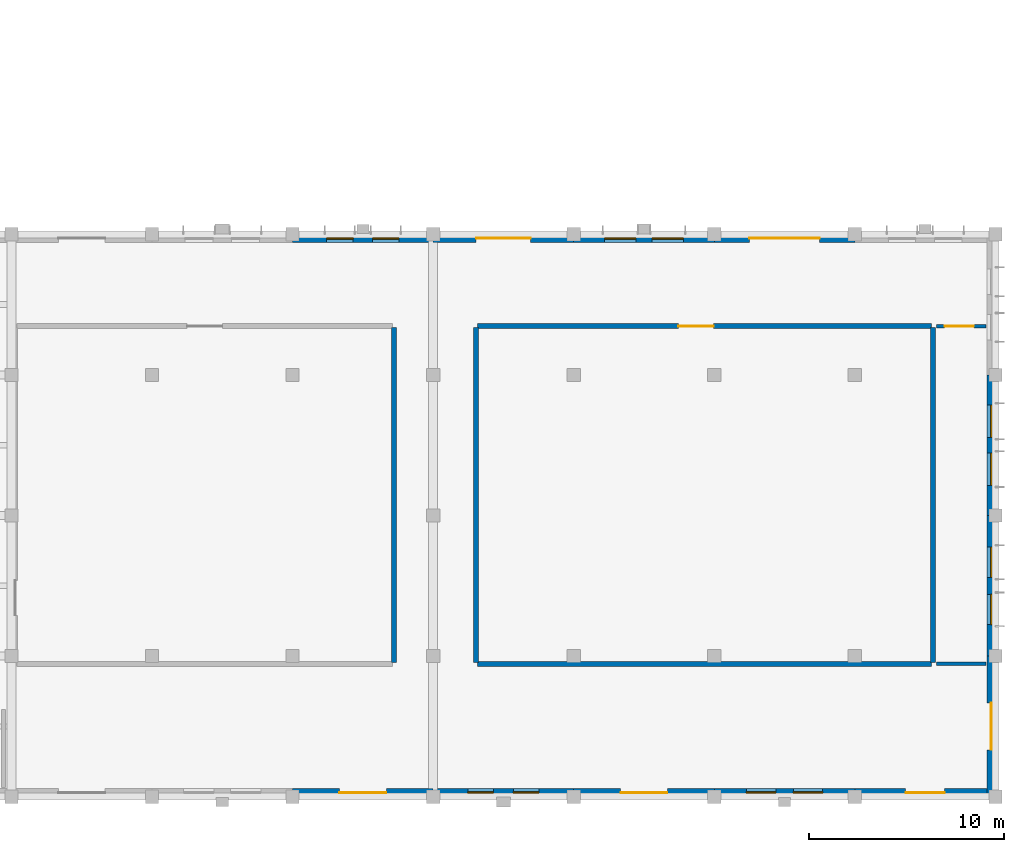
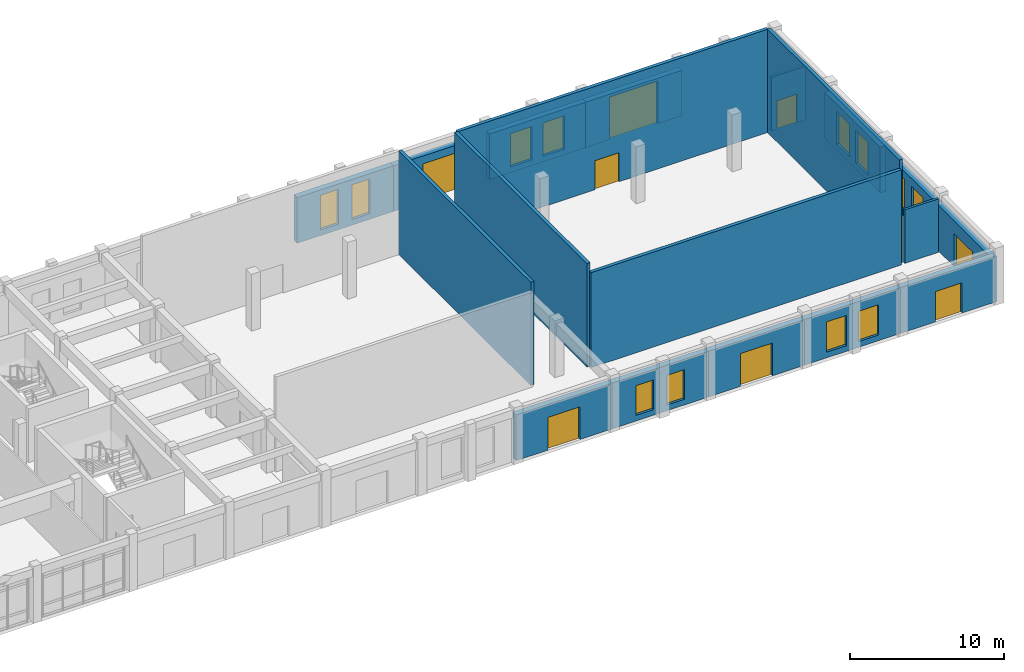
# One storey, part 30 of 43: 19 walls, 12 windows, 8 doors, 20 openings.
"""IFC4 building model written with IfcOpenShell, lengths in metres."""

from ifc_helpers import new_model, si_unit, direction, frame, frame_2d, origin, place, context, subcontext, project, spatial, rectangle, extrude, material, layer, layer_set, type_object, element, fill, save


model = new_model("IFC4")

# Units and contexts
model_context = context("Model", 3, precision=1e-05, world=origin(), true_north=direction((0.0, 1.0)))
body_context = subcontext(model_context, "Body", "Model", "MODEL_VIEW")
ifc_project = project(units=[si_unit("LENGTHUNIT", "METRE"), si_unit("AREAUNIT", "SQUARE_METRE"), si_unit("VOLUMEUNIT", "CUBIC_METRE"), si_unit("PLANEANGLEUNIT", "RADIAN"), si_unit("MASSUNIT", "GRAM", prefix="KILO")], contexts=[model_context])

# Site, building, storey
site_placement = place(None, origin())
site = spatial("IfcSite", under=ifc_project, at=site_placement, CompositionType="ELEMENT")
building_placement = place(site_placement, origin())
building = spatial("IfcBuilding", under=site, at=building_placement, Name="Alvorim Cloister Faculty of Sciences", CompositionType="ELEMENT")
storey_placement = place(building_placement, origin())
storey = spatial("IfcBuildingStorey", under=building, at=storey_placement, Name="L00", CompositionType="ELEMENT", Elevation=0.0)

# Wall, openings, windows
ifc_material_1 = material(Name="Maua Grey Granite Stone", Category="masonry")
ifc_layer_1 = layer(ifc_material_1, 0.419921875)
ifc_layer_set_1 = layer_set([ifc_layer_1], Name="Maua Grey Granite Stone")
wall_type_1 = type_object("IfcWallType", Name="WL-EXT-GRN-420", PredefinedType="SOLIDWALL", material=ifc_layer_set_1)
wall_1_placement = place(storey_placement, frame((129.60009765625, 28.590087890625, 0.0), z_axis=(0.0, 0.0, 1.0), x_axis=(1.0, 0.0, 0.0)))
wall_1 = element("IfcWall", 1, at=wall_1_placement, inside=storey, type_object=wall_type_1, Name="L00 Exterior Wall WL-0079", PredefinedType="SOLIDWALL", context=body_context, shape_type="SweptSolid", body=[
    extrude(rectangle(XDim=7.199951171875, YDim=0.419921875, at=frame_2d((3.60009765625, 0.0))), origin(), (0.0, 0.0, 1.0), 3.6201171875),
])
opening_1_placement = place(wall_1_placement, frame((1.75, 0.0, 0.449951171875)))
opening_1 = element("IfcOpeningElement", 2, at=opening_1_placement, cuts=wall_1, Name="Opening W-09", PredefinedType="OPENING", context=body_context, shape_type="SweptSolid", body=[
    extrude(rectangle(XDim=1.35009765625, YDim=2.75, at=frame_2d((0.675048828125, 1.375))), frame((0.0, 0.221923828125, 0.0), z_axis=(0.0, -1.0, 0.0), x_axis=(1.0, 0.0, 0.0)), (0.0, 0.0, 1.0), 0.44384765625),
])
opening_2_placement = place(wall_1_placement, frame((4.10009765625, 0.0, 0.449951171875)))
opening_2 = element("IfcOpeningElement", 3, at=opening_2_placement, cuts=wall_1, Name="Opening W-09", PredefinedType="OPENING", context=body_context, shape_type="SweptSolid", body=[
    extrude(rectangle(XDim=1.35009765625, YDim=2.75, at=frame_2d((0.675048828125, 1.375))), frame((0.0, 0.221923828125, 0.0), z_axis=(0.0, -1.0, 0.0), x_axis=(1.0, 0.0, 0.0)), (0.0, 0.0, 1.0), 0.44384765625),
])
ifc_material_2 = material(Name="Double Low-E Laminated Glass", Category="glass")
window_type_1 = type_object("IfcWindowType", Name="WN-LAN-1350x2750", PartitioningType="SINGLE_PANEL", PredefinedType="WINDOW", material=ifc_material_2)
window_1_placement = place(opening_1_placement, origin())
window_1 = element("IfcWindow", 4, at=window_1_placement, inside=storey, type_object=window_type_1, Name="L00 Gothic Lancet Window WN-0096", OverallHeight=2.75, OverallWidth=1.35009765625, PartitioningType="SINGLE_PANEL", PredefinedType="WINDOW", context=body_context, shape_type="SweptSolid", body=[
    extrude(rectangle(XDim=1.35009765625, YDim=2.75, at=frame_2d((0.675048828125, 1.375))), frame((0.0, 0.030029296875, 0.0), z_axis=(0.0, -1.0, 0.0), x_axis=(1.0, 0.0, 0.0)), (0.0, 0.0, 1.0), 0.06005859375),
])
fill(opening_1, window_1)
window_2_placement = place(opening_2_placement, origin())
window_2 = element("IfcWindow", 5, at=window_2_placement, inside=storey, type_object=window_type_1, Name="L00 Gothic Lancet Window WN-0097", OverallHeight=2.75, OverallWidth=1.35009765625, PartitioningType="SINGLE_PANEL", PredefinedType="WINDOW", context=body_context, shape_type="SweptSolid", body=[
    extrude(rectangle(XDim=1.35009765625, YDim=2.75, at=frame_2d((0.675048828125, 1.375))), frame((0.0, 0.030029296875, 0.0), z_axis=(0.0, -1.0, 0.0), x_axis=(1.0, 0.0, 0.0)), (0.0, 0.0, 1.0), 0.06005859375),
])
fill(opening_2, window_2)

# Wall, opening, door
wall_2_placement = place(storey_placement, frame((136.800048828125, 28.590087890625, 0.0), z_axis=(0.0, 0.0, 1.0), x_axis=(1.0, 0.0, 0.0)))
wall_2 = element("IfcWall", 6, at=wall_2_placement, inside=storey, type_object=wall_type_1, Name="L00 Exterior Wall WL-0080", PredefinedType="SOLIDWALL", context=body_context, shape_type="SweptSolid", body=[
    extrude(rectangle(XDim=7.199951171875, YDim=0.419921875, at=frame_2d((3.60009765625, 0.0))), origin(), (0.0, 0.0, 1.0), 3.6201171875),
])
opening_3_placement = place(wall_2_placement, frame((2.199951171875, 0.0, 0.0)))
opening_3 = element("IfcOpeningElement", 7, at=opening_3_placement, cuts=wall_2, Name="Opening SG-01", PredefinedType="OPENING", context=body_context, shape_type="SweptSolid", body=[
    extrude(rectangle(XDim=2.800048828125, YDim=3.0, at=frame_2d((1.39990234375, 1.5))), frame((0.0, 0.221923828125, 0.0), z_axis=(0.0, -1.0, 0.0), x_axis=(1.0, 0.0, 0.0)), (0.0, 0.0, 1.0), 0.44384765625),
])
ifc_material_3 = material(Name="Galvanised Steel Sheet", Category="steel")
door_type_1 = type_object("IfcDoorType", Name="DR-GATE-2800x3000", OperationType="NOTDEFINED", PredefinedType="GATE", material=ifc_material_3)
door_1_placement = place(opening_3_placement, origin())
door_1 = element("IfcDoor", 8, at=door_1_placement, inside=storey, type_object=door_type_1, Name="Auditorium Servicing Gate SG-01", OperationType="DOUBLE_DOOR_SINGLE_SWING", OverallHeight=3.0, OverallWidth=2.800048828125, PredefinedType="GATE", context=body_context, shape_type="SweptSolid", body=[
    extrude(rectangle(XDim=2.800048828125, YDim=3.0, at=frame_2d((1.39990234375, 1.5))), frame((0.0, 0.02490234375, 0.0), z_axis=(0.0, -1.0, 0.0), x_axis=(1.0, 0.0, 0.0)), (0.0, 0.0, 1.0), 0.050048828125),
])
fill(opening_3, door_1)

# Wall, openings, windows
wall_3_placement = place(storey_placement, frame((144.0, 28.590087890625, 0.0), z_axis=(0.0, 0.0, 1.0), x_axis=(1.0, 0.0, 0.0)))
wall_3 = element("IfcWall", 9, at=wall_3_placement, inside=storey, type_object=wall_type_1, Name="L00 Exterior Wall WL-0081", PredefinedType="SOLIDWALL", context=body_context, shape_type="SweptSolid", body=[
    extrude(rectangle(XDim=7.199951171875, YDim=0.419921875, at=frame_2d((3.60009765625, 0.0))), origin(), (0.0, 0.0, 1.0), 3.6201171875),
])
opening_4_placement = place(wall_3_placement, frame((1.583251953125, 0.0, 0.449951171875)))
opening_4 = element("IfcOpeningElement", 10, at=opening_4_placement, cuts=wall_3, Name="Opening W-11", PredefinedType="OPENING", context=body_context, shape_type="SweptSolid", body=[
    extrude(rectangle(XDim=1.60009765625, YDim=2.64990234375, at=frame_2d((0.800048828125, 1.324951171875))), frame((0.0, 0.221923828125, 0.0), z_axis=(0.0, -1.0, 0.0), x_axis=(1.0, 0.0, 0.0)), (0.0, 0.0, 1.0), 0.44384765625),
])
opening_5_placement = place(wall_3_placement, frame((4.0166015625, 0.0, 0.449951171875)))
opening_5 = element("IfcOpeningElement", 11, at=opening_5_placement, cuts=wall_3, Name="Opening W-11", PredefinedType="OPENING", context=body_context, shape_type="SweptSolid", body=[
    extrude(rectangle(XDim=1.60009765625, YDim=2.64990234375, at=frame_2d((0.800048828125, 1.324951171875))), frame((0.0, 0.221923828125, 0.0), z_axis=(0.0, -1.0, 0.0), x_axis=(1.0, 0.0, 0.0)), (0.0, 0.0, 1.0), 0.44384765625),
])
window_type_2 = type_object("IfcWindowType", Name="WN-LIB-1600x2650", PartitioningType="SINGLE_PANEL", PredefinedType="WINDOW", material=ifc_material_2)
window_3_placement = place(opening_4_placement, origin())
window_3 = element("IfcWindow", 12, at=window_3_placement, inside=storey, type_object=window_type_2, Name="L00 Gothic Lancet Window WN-0098", OverallHeight=2.64990234375, OverallWidth=1.60009765625, PartitioningType="SINGLE_PANEL", PredefinedType="WINDOW", context=body_context, shape_type="SweptSolid", body=[
    extrude(rectangle(XDim=1.60009765625, YDim=2.64990234375, at=frame_2d((0.800048828125, 1.324951171875))), frame((0.0, 0.030029296875, 0.0), z_axis=(0.0, -1.0, 0.0), x_axis=(1.0, 0.0, 0.0)), (0.0, 0.0, 1.0), 0.06005859375),
])
fill(opening_4, window_3)
window_4_placement = place(opening_5_placement, origin())
window_4 = element("IfcWindow", 13, at=window_4_placement, inside=storey, type_object=window_type_2, Name="L00 Gothic Lancet Window WN-0099", OverallHeight=2.64990234375, OverallWidth=1.60009765625, PartitioningType="SINGLE_PANEL", PredefinedType="WINDOW", context=body_context, shape_type="SweptSolid", body=[
    extrude(rectangle(XDim=1.60009765625, YDim=2.64990234375, at=frame_2d((0.800048828125, 1.324951171875))), frame((0.0, 0.030029296875, 0.0), z_axis=(0.0, -1.0, 0.0), x_axis=(1.0, 0.0, 0.0)), (0.0, 0.0, 1.0), 0.06005859375),
])
fill(opening_5, window_4)

# Wall, opening, door
wall_4_placement = place(storey_placement, frame((151.199951171875, 28.590087890625, 0.0), z_axis=(0.0, 0.0, 1.0), x_axis=(1.0, 0.0, 0.0)))
wall_4 = element("IfcWall", 14, at=wall_4_placement, inside=storey, type_object=wall_type_1, Name="L00 Exterior Wall WL-0082", PredefinedType="SOLIDWALL", context=body_context, shape_type="SweptSolid", body=[
    extrude(rectangle(XDim=7.199951171875, YDim=0.419921875, at=frame_2d((3.60009765625, 0.0))), origin(), (0.0, 0.0, 1.0), 3.6201171875),
])
opening_6_placement = place(wall_4_placement, frame((1.800048828125, 0.0, 0.0)))
opening_6 = element("IfcOpeningElement", 15, at=opening_6_placement, cuts=wall_4, Name="Opening LD-DOCK", PredefinedType="OPENING", context=body_context, shape_type="SweptSolid", body=[
    extrude(rectangle(XDim=3.60009765625, YDim=3.39990234375, at=frame_2d((1.800048828125, 1.699951171875))), frame((0.0, 0.221923828125, 0.0), z_axis=(0.0, -1.0, 0.0), x_axis=(1.0, 0.0, 0.0)), (0.0, 0.0, 1.0), 0.44384765625),
])
door_type_2 = type_object("IfcDoorType", Name="DR-GATE-3600x3600", OperationType="NOTDEFINED", PredefinedType="GATE", material=ifc_material_3)
door_2_placement = place(opening_6_placement, origin())
door_2 = element("IfcDoor", 16, at=door_2_placement, inside=storey, type_object=door_type_2, Name="East Loading Dock Shutter LD-DOCK", OperationType="ROLLINGUP", OverallHeight=3.39990234375, OverallWidth=3.60009765625, PredefinedType="GATE", context=body_context, shape_type="SweptSolid", body=[
    extrude(rectangle(XDim=3.60009765625, YDim=3.39990234375, at=frame_2d((1.800048828125, 1.699951171875))), frame((0.0, 0.02490234375, 0.0), z_axis=(0.0, -1.0, 0.0), x_axis=(1.0, 0.0, 0.0)), (0.0, 0.0, 1.0), 0.050048828125),
])
fill(opening_6, door_2)

# Wall, openings, windows
wall_5_placement = place(storey_placement, frame((165.389892578125, 14.39990234375, 0.0), z_axis=(0.0, 0.0, 1.0), x_axis=(0.0, 1.0, 0.0)))
wall_5 = element("IfcWall", 17, at=wall_5_placement, inside=storey, type_object=wall_type_1, Name="L00 Exterior Wall WL-0085", PredefinedType="SOLIDWALL", context=body_context, shape_type="SweptSolid", body=[
    extrude(rectangle(XDim=7.2001953125, YDim=0.419921875, at=frame_2d((3.60009765625, 0.0))), origin(), (0.0, 0.0, 1.0), 3.6201171875),
])
opening_7_placement = place(wall_5_placement, frame((1.550048828125, 0.0, 0.449951171875)))
opening_7 = element("IfcOpeningElement", 18, at=opening_7_placement, cuts=wall_5, Name="Opening W-15", PredefinedType="OPENING", context=body_context, shape_type="SweptSolid", body=[
    extrude(rectangle(XDim=1.64990234375, YDim=2.60009765625, at=frame_2d((0.824951171875, 1.300048828125))), frame((0.0, 0.221923828125, 0.0), z_axis=(0.0, -1.0, 0.0), x_axis=(1.0, 0.0, 0.0)), (0.0, 0.0, 1.0), 0.44384765625),
])
opening_8_placement = place(wall_5_placement, frame((4.0, 0.0, 0.449951171875)))
opening_8 = element("IfcOpeningElement", 19, at=opening_8_placement, cuts=wall_5, Name="Opening W-15", PredefinedType="OPENING", context=body_context, shape_type="SweptSolid", body=[
    extrude(rectangle(XDim=1.64990234375, YDim=2.60009765625, at=frame_2d((0.824951171875, 1.300048828125))), frame((0.0, 0.221923828125, 0.0), z_axis=(0.0, -1.0, 0.0), x_axis=(1.0, 0.0, 0.0)), (0.0, 0.0, 1.0), 0.44384765625),
])
window_type_3 = type_object("IfcWindowType", Name="WN-LAB-1650x2600", PartitioningType="SINGLE_PANEL", PredefinedType="WINDOW", material=ifc_material_2)
window_5_placement = place(opening_7_placement, origin())
window_5 = element("IfcWindow", 20, at=window_5_placement, inside=storey, type_object=window_type_3, Name="L00 Gothic Lancet Window WN-0104", OverallHeight=2.60009765625, OverallWidth=1.64990234375, PartitioningType="SINGLE_PANEL", PredefinedType="WINDOW", context=body_context, shape_type="SweptSolid", body=[
    extrude(rectangle(XDim=1.64990234375, YDim=2.60009765625, at=frame_2d((0.824951171875, 1.300048828125))), frame((0.0, 0.030029296875, 0.0), z_axis=(0.0, -1.0, 0.0), x_axis=(1.0, 0.0, 0.0)), (0.0, 0.0, 1.0), 0.06005859375),
])
fill(opening_7, window_5)
window_6_placement = place(opening_8_placement, origin())
window_6 = element("IfcWindow", 21, at=window_6_placement, inside=storey, type_object=window_type_3, Name="L00 Gothic Lancet Window WN-0105", OverallHeight=2.60009765625, OverallWidth=1.64990234375, PartitioningType="SINGLE_PANEL", PredefinedType="WINDOW", context=body_context, shape_type="SweptSolid", body=[
    extrude(rectangle(XDim=1.64990234375, YDim=2.60009765625, at=frame_2d((0.824951171875, 1.300048828125))), frame((0.0, 0.030029296875, 0.0), z_axis=(0.0, -1.0, 0.0), x_axis=(1.0, 0.0, 0.0)), (0.0, 0.0, 1.0), 0.06005859375),
])
fill(opening_8, window_6)

wall_6_placement = place(storey_placement, frame((165.389892578125, 7.199951171875, 0.0), z_axis=(0.0, 0.0, 1.0), x_axis=(0.0, 1.0, 0.0)))
wall_6 = element("IfcWall", 22, at=wall_6_placement, inside=storey, type_object=wall_type_1, Name="L00 Exterior Wall WL-0086", PredefinedType="SOLIDWALL", context=body_context, shape_type="SweptSolid", body=[
    extrude(rectangle(XDim=7.199951171875, YDim=0.419921875, at=frame_2d((3.60009765625, 0.0))), origin(), (0.0, 0.0, 1.0), 3.6201171875),
])
opening_9_placement = place(wall_6_placement, frame((1.61669921875, 0.0, 0.449951171875)))
opening_9 = element("IfcOpeningElement", 23, at=opening_9_placement, cuts=wall_6, Name="Opening W-16", PredefinedType="OPENING", context=body_context, shape_type="SweptSolid", body=[
    extrude(rectangle(XDim=1.550048828125, YDim=2.550048828125, at=frame_2d((0.77490234375, 1.27490234375))), frame((0.0, 0.221923828125, 0.0), z_axis=(0.0, -1.0, 0.0), x_axis=(1.0, 0.0, 0.0)), (0.0, 0.0, 1.0), 0.44384765625),
])
opening_10_placement = place(wall_6_placement, frame((4.033203125, 0.0, 0.449951171875)))
opening_10 = element("IfcOpeningElement", 24, at=opening_10_placement, cuts=wall_6, Name="Opening W-16", PredefinedType="OPENING", context=body_context, shape_type="SweptSolid", body=[
    extrude(rectangle(XDim=1.550048828125, YDim=2.550048828125, at=frame_2d((0.77490234375, 1.27490234375))), frame((0.0, 0.221923828125, 0.0), z_axis=(0.0, -1.0, 0.0), x_axis=(1.0, 0.0, 0.0)), (0.0, 0.0, 1.0), 0.44384765625),
])
window_type_4 = type_object("IfcWindowType", Name="WN-LAB-1550x2550", PartitioningType="SINGLE_PANEL", PredefinedType="WINDOW", material=ifc_material_2)
window_7_placement = place(opening_9_placement, origin())
window_7 = element("IfcWindow", 25, at=window_7_placement, inside=storey, type_object=window_type_4, Name="L00 Gothic Lancet Window WN-0106", OverallHeight=2.550048828125, OverallWidth=1.550048828125, PartitioningType="SINGLE_PANEL", PredefinedType="WINDOW", context=body_context, shape_type="SweptSolid", body=[
    extrude(rectangle(XDim=1.550048828125, YDim=2.550048828125, at=frame_2d((0.77490234375, 1.27490234375))), frame((0.0, 0.030029296875, 0.0), z_axis=(0.0, -1.0, 0.0), x_axis=(1.0, 0.0, 0.0)), (0.0, 0.0, 1.0), 0.06005859375),
])
fill(opening_9, window_7)
window_8_placement = place(opening_10_placement, origin())
window_8 = element("IfcWindow", 26, at=window_8_placement, inside=storey, type_object=window_type_4, Name="L00 Gothic Lancet Window WN-0107", OverallHeight=2.550048828125, OverallWidth=1.550048828125, PartitioningType="SINGLE_PANEL", PredefinedType="WINDOW", context=body_context, shape_type="SweptSolid", body=[
    extrude(rectangle(XDim=1.550048828125, YDim=2.550048828125, at=frame_2d((0.77490234375, 1.27490234375))), frame((0.0, 0.030029296875, 0.0), z_axis=(0.0, -1.0, 0.0), x_axis=(1.0, 0.0, 0.0)), (0.0, 0.0, 1.0), 0.06005859375),
])
fill(opening_10, window_8)

# Wall, opening, door
wall_7_placement = place(storey_placement, frame((165.389892578125, 0.0, 0.0), z_axis=(0.0, 0.0, 1.0), x_axis=(0.0, 1.0, 0.0)))
wall_7 = element("IfcWall", 27, at=wall_7_placement, inside=storey, type_object=wall_type_1, Name="L00 Exterior Wall WL-0087", PredefinedType="SOLIDWALL", context=body_context, shape_type="SweptSolid", body=[
    extrude(rectangle(XDim=7.199951171875, YDim=0.419921875, at=frame_2d((3.60009765625, 0.0))), origin(), (0.0, 0.0, 1.0), 3.6201171875),
])
opening_11_placement = place(wall_7_placement, frame((2.39990234375, 0.0, 0.0)))
opening_11 = element("IfcOpeningElement", 28, at=opening_11_placement, cuts=wall_7, Name="Opening ED-22", PredefinedType="OPENING", context=body_context, shape_type="SweptSolid", body=[
    extrude(rectangle(XDim=2.39990234375, YDim=2.60009765625, at=frame_2d((1.199951171875, 1.300048828125))), frame((0.0, 0.221923828125, 0.0), z_axis=(0.0, -1.0, 0.0), x_axis=(1.0, 0.0, 0.0)), (0.0, 0.0, 1.0), 0.44384765625),
])
ifc_material_4 = material(Name="Aluminium Alloy 6063-T6", Category="aluminium")
door_type_3 = type_object("IfcDoorType", Name="DR-EXIT-2400x2600", OperationType="NOTDEFINED", PredefinedType="DOOR", material=ifc_material_4)
door_3_placement = place(opening_11_placement, origin())
door_3 = element("IfcDoor", 29, at=door_3_placement, inside=storey, type_object=door_type_3, Name="Main Auditorium East Foyer Exit ED-22", OperationType="DOUBLE_DOOR_SINGLE_SWING", OverallHeight=2.60009765625, OverallWidth=2.39990234375, PredefinedType="DOOR", context=body_context, shape_type="SweptSolid", body=[
    extrude(rectangle(XDim=2.39990234375, YDim=2.60009765625, at=frame_2d((1.199951171875, 1.300048828125))), frame((0.0, 0.02490234375, 0.0), z_axis=(0.0, -1.0, 0.0), x_axis=(1.0, 0.0, 0.0)), (0.0, 0.0, 1.0), 0.050048828125),
])
fill(opening_11, door_3)

wall_8_placement = place(storey_placement, frame((158.39990234375, 0.2099609375, 0.0), z_axis=(0.0, 0.0, 1.0), x_axis=(1.0, 0.0, 0.0)))
wall_8 = element("IfcWall", 30, at=wall_8_placement, inside=storey, type_object=wall_type_1, Name="L00 Exterior Wall WL-0088", PredefinedType="SOLIDWALL", context=body_context, shape_type="SweptSolid", body=[
    extrude(rectangle(XDim=7.2001953125, YDim=0.419921875, at=frame_2d((3.60009765625, 0.0))), origin(), (0.0, 0.0, 1.0), 3.6201171875),
])
opening_12_placement = place(wall_8_placement, frame((2.60009765625, 0.0, 0.0)))
opening_12 = element("IfcOpeningElement", 31, at=opening_12_placement, cuts=wall_8, Name="Opening ED-14", PredefinedType="OPENING", context=body_context, shape_type="SweptSolid", body=[
    extrude(rectangle(XDim=2.0, YDim=2.39990234375, at=frame_2d((1.0, 1.199951171875))), frame((0.0, 0.221923828125, 0.0), z_axis=(0.0, -1.0, 0.0), x_axis=(1.0, 0.0, 0.0)), (0.0, 0.0, 1.0), 0.44384765625),
])
door_type_4 = type_object("IfcDoorType", Name="DR-EXIT-2000x2400", OperationType="NOTDEFINED", PredefinedType="DOOR", material=ifc_material_4)
door_4_placement = place(opening_12_placement, origin())
door_4 = element("IfcDoor", 32, at=door_4_placement, inside=storey, type_object=door_type_4, Name="Main Auditorium East Exit ED-14", OperationType="DOUBLE_DOOR_SINGLE_SWING", OverallHeight=2.39990234375, OverallWidth=2.0, PredefinedType="DOOR", context=body_context, shape_type="SweptSolid", body=[
    extrude(rectangle(XDim=2.0, YDim=2.39990234375, at=frame_2d((1.0, 1.199951171875))), frame((0.0, 0.02490234375, 0.0), z_axis=(0.0, -1.0, 0.0), x_axis=(1.0, 0.0, 0.0)), (0.0, 0.0, 1.0), 0.050048828125),
])
fill(opening_12, door_4)

# Wall, openings, windows
wall_9_placement = place(storey_placement, frame((151.199951171875, 0.2099609375, 0.0), z_axis=(0.0, 0.0, 1.0), x_axis=(1.0, 0.0, 0.0)))
wall_9 = element("IfcWall", 33, at=wall_9_placement, inside=storey, type_object=wall_type_1, Name="L00 Exterior Wall WL-0089", PredefinedType="SOLIDWALL", context=body_context, shape_type="SweptSolid", body=[
    extrude(rectangle(XDim=7.199951171875, YDim=0.419921875, at=frame_2d((3.60009765625, 0.0))), origin(), (0.0, 0.0, 1.0), 3.6201171875),
])
opening_13_placement = place(wall_9_placement, frame((1.64990234375, 0.0, 0.449951171875)))
opening_13 = element("IfcOpeningElement", 34, at=opening_13_placement, cuts=wall_9, Name="Opening W-19", PredefinedType="OPENING", context=body_context, shape_type="SweptSolid", body=[
    extrude(rectangle(XDim=1.5, YDim=2.39990234375, at=frame_2d((0.75, 1.199951171875))), frame((0.0, 0.221923828125, 0.0), z_axis=(0.0, -1.0, 0.0), x_axis=(1.0, 0.0, 0.0)), (0.0, 0.0, 1.0), 0.44384765625),
])
opening_14_placement = place(wall_9_placement, frame((4.050048828125, 0.0, 0.449951171875)))
opening_14 = element("IfcOpeningElement", 35, at=opening_14_placement, cuts=wall_9, Name="Opening W-19", PredefinedType="OPENING", context=body_context, shape_type="SweptSolid", body=[
    extrude(rectangle(XDim=1.5, YDim=2.39990234375, at=frame_2d((0.75, 1.199951171875))), frame((0.0, 0.221923828125, 0.0), z_axis=(0.0, -1.0, 0.0), x_axis=(1.0, 0.0, 0.0)), (0.0, 0.0, 1.0), 0.44384765625),
])
window_type_5 = type_object("IfcWindowType", Name="WN-OFF-1500x2400", PartitioningType="SINGLE_PANEL", PredefinedType="WINDOW", material=ifc_material_2)
window_9_placement = place(opening_13_placement, origin())
window_9 = element("IfcWindow", 36, at=window_9_placement, inside=storey, type_object=window_type_5, Name="L00 Gothic Lancet Window WN-0108", OverallHeight=2.39990234375, OverallWidth=1.5, PartitioningType="SINGLE_PANEL", PredefinedType="WINDOW", context=body_context, shape_type="SweptSolid", body=[
    extrude(rectangle(XDim=1.5, YDim=2.39990234375, at=frame_2d((0.75, 1.199951171875))), frame((0.0, 0.030029296875, 0.0), z_axis=(0.0, -1.0, 0.0), x_axis=(1.0, 0.0, 0.0)), (0.0, 0.0, 1.0), 0.06005859375),
])
fill(opening_13, window_9)
window_10_placement = place(opening_14_placement, origin())
window_10 = element("IfcWindow", 37, at=window_10_placement, inside=storey, type_object=window_type_5, Name="L00 Gothic Lancet Window WN-0109", OverallHeight=2.39990234375, OverallWidth=1.5, PartitioningType="SINGLE_PANEL", PredefinedType="WINDOW", context=body_context, shape_type="SweptSolid", body=[
    extrude(rectangle(XDim=1.5, YDim=2.39990234375, at=frame_2d((0.75, 1.199951171875))), frame((0.0, 0.030029296875, 0.0), z_axis=(0.0, -1.0, 0.0), x_axis=(1.0, 0.0, 0.0)), (0.0, 0.0, 1.0), 0.06005859375),
])
fill(opening_14, window_10)

# Wall, opening, door
wall_10_placement = place(storey_placement, frame((144.0, 0.2099609375, 0.0), z_axis=(0.0, 0.0, 1.0), x_axis=(1.0, 0.0, 0.0)))
wall_10 = element("IfcWall", 38, at=wall_10_placement, inside=storey, type_object=wall_type_1, Name="L00 Exterior Wall WL-0090", PredefinedType="SOLIDWALL", context=body_context, shape_type="SweptSolid", body=[
    extrude(rectangle(XDim=7.199951171875, YDim=0.419921875, at=frame_2d((3.60009765625, 0.0))), origin(), (0.0, 0.0, 1.0), 3.6201171875),
])
opening_15_placement = place(wall_10_placement, frame((2.39990234375, 0.0, 0.0)))
opening_15 = element("IfcOpeningElement", 39, at=opening_15_placement, cuts=wall_10, Name="Opening ED-07", PredefinedType="OPENING", context=body_context, shape_type="SweptSolid", body=[
    extrude(rectangle(XDim=2.39990234375, YDim=2.60009765625, at=frame_2d((1.199951171875, 1.300048828125))), frame((0.0, 0.221923828125, 0.0), z_axis=(0.0, -1.0, 0.0), x_axis=(1.0, 0.0, 0.0)), (0.0, 0.0, 1.0), 0.44384765625),
])
door_5_placement = place(opening_15_placement, origin())
door_5 = element("IfcDoor", 40, at=door_5_placement, inside=storey, type_object=door_type_3, Name="Main Auditorium Avenue Entrance ED-07", OperationType="DOUBLE_DOOR_SINGLE_SWING", OverallHeight=2.60009765625, OverallWidth=2.39990234375, PredefinedType="DOOR", context=body_context, shape_type="SweptSolid", body=[
    extrude(rectangle(XDim=2.39990234375, YDim=2.60009765625, at=frame_2d((1.199951171875, 1.300048828125))), frame((0.0, 0.02490234375, 0.0), z_axis=(0.0, -1.0, 0.0), x_axis=(1.0, 0.0, 0.0)), (0.0, 0.0, 1.0), 0.050048828125),
])
fill(opening_15, door_5)

# Wall, openings, windows
wall_11_placement = place(storey_placement, frame((136.800048828125, 0.2099609375, 0.0), z_axis=(0.0, 0.0, 1.0), x_axis=(1.0, 0.0, 0.0)))
wall_11 = element("IfcWall", 41, at=wall_11_placement, inside=storey, type_object=wall_type_1, Name="L00 Exterior Wall WL-0091", PredefinedType="SOLIDWALL", context=body_context, shape_type="SweptSolid", body=[
    extrude(rectangle(XDim=7.199951171875, YDim=0.419921875, at=frame_2d((3.60009765625, 0.0))), origin(), (0.0, 0.0, 1.0), 3.6201171875),
])
opening_16_placement = place(wall_11_placement, frame((1.783203125, 0.0, 0.449951171875)))
opening_16 = element("IfcOpeningElement", 42, at=opening_16_placement, cuts=wall_11, Name="Opening W-21", PredefinedType="OPENING", context=body_context, shape_type="SweptSolid", body=[
    extrude(rectangle(XDim=1.300048828125, YDim=2.35009765625, at=frame_2d((0.64990234375, 1.175048828125))), frame((0.0, 0.221923828125, 0.0), z_axis=(0.0, -1.0, 0.0), x_axis=(1.0, 0.0, 0.0)), (0.0, 0.0, 1.0), 0.44384765625),
])
opening_17_placement = place(wall_11_placement, frame((4.11669921875, 0.0, 0.449951171875)))
opening_17 = element("IfcOpeningElement", 43, at=opening_17_placement, cuts=wall_11, Name="Opening W-21", PredefinedType="OPENING", context=body_context, shape_type="SweptSolid", body=[
    extrude(rectangle(XDim=1.300048828125, YDim=2.35009765625, at=frame_2d((0.64990234375, 1.175048828125))), frame((0.0, 0.221923828125, 0.0), z_axis=(0.0, -1.0, 0.0), x_axis=(1.0, 0.0, 0.0)), (0.0, 0.0, 1.0), 0.44384765625),
])
window_type_6 = type_object("IfcWindowType", Name="WN-OFF-1300x2350", PartitioningType="SINGLE_PANEL", PredefinedType="WINDOW", material=ifc_material_2)
window_11_placement = place(opening_16_placement, origin())
window_11 = element("IfcWindow", 44, at=window_11_placement, inside=storey, type_object=window_type_6, Name="L00 Gothic Lancet Window WN-0110", OverallHeight=2.35009765625, OverallWidth=1.300048828125, PartitioningType="SINGLE_PANEL", PredefinedType="WINDOW", context=body_context, shape_type="SweptSolid", body=[
    extrude(rectangle(XDim=1.300048828125, YDim=2.35009765625, at=frame_2d((0.64990234375, 1.175048828125))), frame((0.0, 0.030029296875, 0.0), z_axis=(0.0, -1.0, 0.0), x_axis=(1.0, 0.0, 0.0)), (0.0, 0.0, 1.0), 0.06005859375),
])
fill(opening_16, window_11)
window_12_placement = place(opening_17_placement, origin())
window_12 = element("IfcWindow", 45, at=window_12_placement, inside=storey, type_object=window_type_6, Name="L00 Gothic Lancet Window WN-0111", OverallHeight=2.35009765625, OverallWidth=1.300048828125, PartitioningType="SINGLE_PANEL", PredefinedType="WINDOW", context=body_context, shape_type="SweptSolid", body=[
    extrude(rectangle(XDim=1.300048828125, YDim=2.35009765625, at=frame_2d((0.64990234375, 1.175048828125))), frame((0.0, 0.030029296875, 0.0), z_axis=(0.0, -1.0, 0.0), x_axis=(1.0, 0.0, 0.0)), (0.0, 0.0, 1.0), 0.06005859375),
])
fill(opening_17, window_12)

# Wall, opening, door
wall_12_placement = place(storey_placement, frame((129.60009765625, 0.2099609375, 0.0), z_axis=(0.0, 0.0, 1.0), x_axis=(1.0, 0.0, 0.0)))
wall_12 = element("IfcWall", 46, at=wall_12_placement, inside=storey, type_object=wall_type_1, Name="L00 Exterior Wall WL-0092", PredefinedType="SOLIDWALL", context=body_context, shape_type="SweptSolid", body=[
    extrude(rectangle(XDim=7.199951171875, YDim=0.419921875, at=frame_2d((3.60009765625, 0.0))), origin(), (0.0, 0.0, 1.0), 3.6201171875),
])
opening_18_placement = place(wall_12_placement, frame((2.39990234375, 0.0, 0.0)))
opening_18 = element("IfcOpeningElement", 47, at=opening_18_placement, cuts=wall_12, Name="Opening ED-13", PredefinedType="OPENING", context=body_context, shape_type="SweptSolid", body=[
    extrude(rectangle(XDim=2.39990234375, YDim=2.60009765625, at=frame_2d((1.199951171875, 1.300048828125))), frame((0.0, 0.221923828125, 0.0), z_axis=(0.0, -1.0, 0.0), x_axis=(1.0, 0.0, 0.0)), (0.0, 0.0, 1.0), 0.44384765625),
])
door_6_placement = place(opening_18_placement, origin())
door_6 = element("IfcDoor", 48, at=door_6_placement, inside=storey, type_object=door_type_3, Name="Auditorium Central Foyer Entrance ED-13", OperationType="DOUBLE_DOOR_SINGLE_SWING", OverallHeight=2.60009765625, OverallWidth=2.39990234375, PredefinedType="DOOR", context=body_context, shape_type="SweptSolid", body=[
    extrude(rectangle(XDim=2.39990234375, YDim=2.60009765625, at=frame_2d((1.199951171875, 1.300048828125))), frame((0.0, 0.02490234375, 0.0), z_axis=(0.0, -1.0, 0.0), x_axis=(1.0, 0.0, 0.0)), (0.0, 0.0, 1.0), 0.050048828125),
])
fill(opening_18, door_6)

# Wall
ifc_material_5 = material(Name="Gypsum Fireboard Stud Partition", Category="gypsum")
ifc_layer_2 = layer(ifc_material_5, 0.179931640625)
ifc_layer_set_2 = layer_set([ifc_layer_2], Name="Gypsum Fireboard Stud Partition")
wall_type_2 = type_object("IfcWallType", Name="WL-PRT-180", PredefinedType="PARTITIONING", material=ifc_layer_set_2)
wall_13_placement = place(storey_placement, frame((162.580078125, 6.800048828125, 0.0), z_axis=(0.0, 0.0, 1.0), x_axis=(1.0, 0.0, 0.0)))
element("IfcWall", 49, at=wall_13_placement, inside=storey, type_object=wall_type_2, Name="L00 East Loading Dock Receiving and Staging Partition IWL-0498", PredefinedType="PARTITIONING", context=body_context, shape_type="SweptSolid", body=[
    extrude(rectangle(XDim=2.5400390625, YDim=0.179931640625, at=frame_2d((1.27001953125, 0.0))), origin(), (0.0, 0.0, 1.0), 4.235107421875),
])

# Wall, opening, door
wall_14_placement = place(storey_placement, frame((162.580078125, 24.10009765625, 0.0), z_axis=(0.0, 0.0, 1.0), x_axis=(1.0, 0.0, 0.0)))
wall_14 = element("IfcWall", 50, at=wall_14_placement, inside=storey, type_object=wall_type_2, Name="L00 East Loading Dock Receiving and Staging Partition IWL-0499", PredefinedType="PARTITIONING", context=body_context, shape_type="SweptSolid", body=[
    extrude(rectangle(XDim=2.5400390625, YDim=0.179931640625, at=frame_2d((1.27001953125, 0.0))), origin(), (0.0, 0.0, 1.0), 4.235107421875),
])
opening_19_placement = place(wall_14_placement, frame((0.422607421875, 0.0, 0.0)))
opening_19 = element("IfcOpeningElement", 51, at=opening_19_placement, cuts=wall_14, Name="Opening D-L00-100", PredefinedType="OPENING", context=body_context, shape_type="SweptSolid", body=[
    extrude(rectangle(XDim=1.5, YDim=2.25, at=frame_2d((0.75, 1.125))), frame((0.0, 0.10205078125, 0.0), z_axis=(0.0, -1.0, 0.0), x_axis=(1.0, 0.0, 0.0)), (0.0, 0.0, 1.0), 0.203857421875),
])
ifc_material_6 = material(Name="Galvanised Fire-Rated Steel", Category="steel")
door_type_5 = type_object("IfcDoorType", Name="DR-PLN-1500x2250", OperationType="NOTDEFINED", PredefinedType="DOOR", material=ifc_material_6)
door_7_placement = place(opening_19_placement, origin())
door_7 = element("IfcDoor", 52, at=door_7_placement, inside=storey, type_object=door_type_5, Name="East Loading Dock Receiving and Staging Door D-L00-100", OperationType="DOUBLE_DOOR_SINGLE_SWING", OverallHeight=2.25, OverallWidth=1.5, PredefinedType="DOOR", context=body_context, shape_type="SweptSolid", body=[
    extrude(rectangle(XDim=1.5, YDim=2.25, at=frame_2d((0.75, 1.125))), frame((0.0, 0.02490234375, 0.0), z_axis=(0.0, -1.0, 0.0), x_axis=(1.0, 0.0, 0.0)), (0.0, 0.0, 1.0), 0.050048828125),
])
fill(opening_19, door_7)

# Walls
ifc_material_7 = material(Name="Autoclaved Aerated Concrete Blockwork", Category="masonry")
ifc_layer_3 = layer(ifc_material_7, 0.25)
ifc_layer_set_3 = layer_set([ifc_layer_3], Name="Autoclaved Aerated Concrete Blockwork")
wall_type_3 = type_object("IfcWallType", Name="WL-PRT-250", PredefinedType="PARTITIONING", material=ifc_layer_set_3)
for number, where, z_axis, x_axis, name in (
    (53, (134.800048828125, 6.8798828125, 0.0), (0.0, 0.0, 1.0), (0.0, 1.0, 0.0), "L00 Lecture Theatre A - 350 Seats Partition IWL-0492"),
    (54, (139.0, 6.8798828125, 0.0), (0.0, 0.0, 1.0), (0.0, 1.0, 0.0), "L00 Main Faculty Auditorium - 500 Seats Partition IWL-0494"),
):
    element("IfcWall", number, at=place(storey_placement, frame(where, z_axis=z_axis, x_axis=x_axis)), inside=storey, type_object=wall_type_3, Name=name, PredefinedType="PARTITIONING", context=body_context, shape_type="SweptSolid", body=[
        extrude(rectangle(XDim=17.14013671875, YDim=0.25, at=frame_2d((8.570068359375, 0.0))), origin(), (0.0, 0.0, 1.0), 8.18505859375),
    ])
wall_15_placement = place(storey_placement, frame((139.080078125, 6.800048828125, 0.0), z_axis=(0.0, 0.0, 1.0), x_axis=(1.0, 0.0, 0.0)))
element("IfcWall", 55, at=wall_15_placement, inside=storey, type_object=wall_type_3, Name="L00 Main Faculty Auditorium - 500 Seats Partition IWL-0495", PredefinedType="PARTITIONING", context=body_context, shape_type="SweptSolid", body=[
    extrude(rectangle(XDim=23.239990234375, YDim=0.25, at=frame_2d((11.6201171875, 0.0))), origin(), (0.0, 0.0, 1.0), 7.52490234375),
])
wall_16_placement = place(storey_placement, frame((162.39990234375, 6.8798828125, 0.0), z_axis=(0.0, 0.0, 1.0), x_axis=(0.0, 1.0, 0.0)))
element("IfcWall", 56, at=wall_16_placement, inside=storey, type_object=wall_type_3, Name="L00 Main Faculty Auditorium - 500 Seats Partition IWL-0496", PredefinedType="PARTITIONING", context=body_context, shape_type="SweptSolid", body=[
    extrude(rectangle(XDim=17.14013671875, YDim=0.25, at=frame_2d((8.570068359375, 0.0))), origin(), (0.0, 0.0, 1.0), 8.18505859375),
])

# Wall, opening, door
wall_17_placement = place(storey_placement, frame((139.080078125, 24.10009765625, 0.0), z_axis=(0.0, 0.0, 1.0), x_axis=(1.0, 0.0, 0.0)))
wall_17 = element("IfcWall", 57, at=wall_17_placement, inside=storey, type_object=wall_type_3, Name="L00 Main Faculty Auditorium - 500 Seats Partition IWL-0497", PredefinedType="PARTITIONING", context=body_context, shape_type="SweptSolid", body=[
    extrude(rectangle(XDim=23.239990234375, YDim=0.25, at=frame_2d((11.6201171875, 0.0))), origin(), (0.0, 0.0, 1.0), 8.18505859375),
])
opening_20_placement = place(wall_17_placement, frame((10.282470703125, 0.0, 0.0)))
opening_20 = element("IfcOpeningElement", 58, at=opening_20_placement, cuts=wall_17, Name="Opening D-L00-099", PredefinedType="OPENING", context=body_context, shape_type="SweptSolid", body=[
    extrude(rectangle(XDim=1.800048828125, YDim=2.300048828125, at=frame_2d((0.89990234375, 1.14990234375))), frame((0.0, 0.136962890625, 0.0), z_axis=(0.0, -1.0, 0.0), x_axis=(1.0, 0.0, 0.0)), (0.0, 0.0, 1.0), 0.27392578125),
])
ifc_material_8 = material(Name="Solid Acoustic Oak Timber", Category="wood")
door_type_6 = type_object("IfcDoorType", Name="DR-HALL-1800x2300", OperationType="NOTDEFINED", PredefinedType="DOOR", material=ifc_material_8)
door_8_placement = place(opening_20_placement, origin())
door_8 = element("IfcDoor", 59, at=door_8_placement, inside=storey, type_object=door_type_6, Name="Main Faculty Auditorium - 500 Seats Door D-L00-099", OperationType="DOUBLE_DOOR_SINGLE_SWING", OverallHeight=2.300048828125, OverallWidth=1.800048828125, PredefinedType="DOOR", context=body_context, shape_type="SweptSolid", body=[
    extrude(rectangle(XDim=1.800048828125, YDim=2.300048828125, at=frame_2d((0.89990234375, 1.14990234375))), frame((0.0, 0.02490234375, 0.0), z_axis=(0.0, -1.0, 0.0), x_axis=(1.0, 0.0, 0.0)), (0.0, 0.0, 1.0), 0.050048828125),
])
fill(opening_20, door_8)

save(model, "model.ifc")
